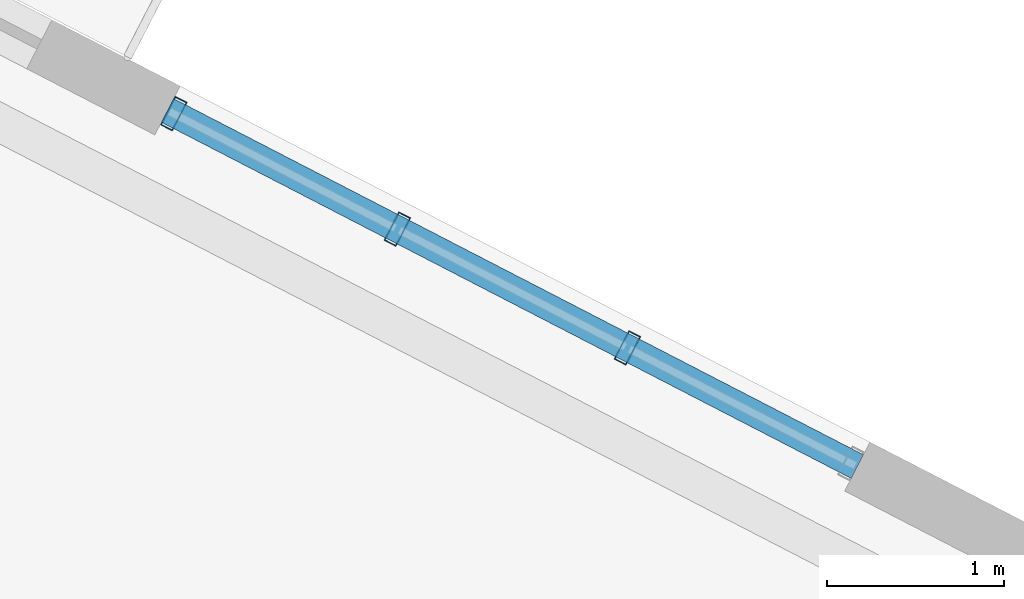
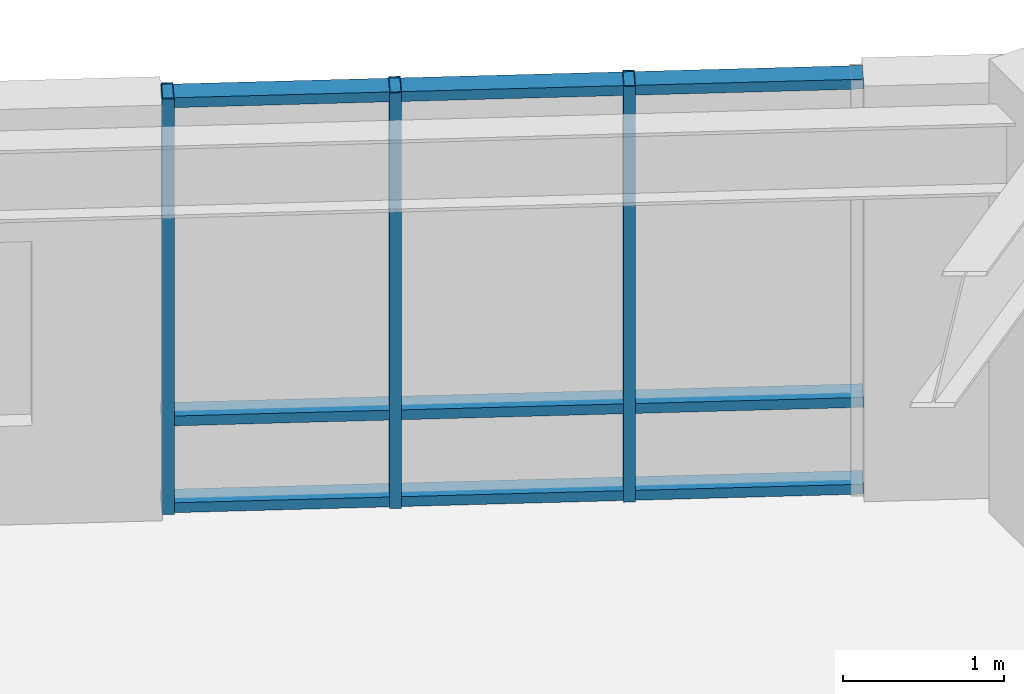
# One storey, part 2 of 11: 6 members, 1 element without a shape of its own.
"""IFC4 building model written with IfcOpenShell, lengths in metres."""

from ifc_helpers import new_model, si_unit, direction, frame, origin, origin_2d, place, context, subcontext, project, spatial, hollow_rectangle, extrude, material, layer, layer_set, material_profile, profile_set, type_object, element, aggregate, save


model = new_model("IFC4")

# Units and contexts
model_context = context("Model", 3, precision=1e-05, world=origin(), true_north=direction((0.0, 1.0)))
body_context = subcontext(model_context, "Body", "Model", "MODEL_VIEW")
ifc_project = project(units=[si_unit("LENGTHUNIT", "METRE"), si_unit("AREAUNIT", "SQUARE_METRE"), si_unit("VOLUMEUNIT", "CUBIC_METRE"), si_unit("PLANEANGLEUNIT", "RADIAN"), si_unit("MASSUNIT", "GRAM", prefix="KILO"), si_unit("THERMODYNAMICTEMPERATUREUNIT", "KELVIN"), si_unit("POWERUNIT", "WATT")], contexts=[model_context])

# Site, building, storey
site_placement = place(None, origin())
site = spatial("IfcSite", under=ifc_project, at=site_placement, CompositionType="ELEMENT")
building_placement = place(site_placement, origin())
building = spatial("IfcBuilding", under=site, at=building_placement, Name="Skarre Station Tower", CompositionType="ELEMENT")
storey_placement = place(building_placement, frame((0.0, 0.0, 170.550048828125)))
storey = spatial("IfcBuildingStorey", under=building, at=storey_placement, Name="L46", CompositionType="ELEMENT", Elevation=170.550048828125)

# Curtain wall, members
ifc_material_1 = material(Name="Thermally Broken Bronze-Anodized Aluminium & Triple Low-E Glass", Category="aluminium")
ifc_layer = layer(ifc_material_1, 0.18994140625, Name="Thermally Broken Bronze-Anodized Aluminium & Triple Low-E Glass")
ifc_layer_set = layer_set([ifc_layer], Name="Thermally Broken Bronze-Anodized Aluminium & Triple Low-E Glass")
curtain_wall_type = type_object("IfcCurtainWallType", Name="Sky-Garden Setback Conservatory Curtain Wall", PredefinedType="NOTDEFINED", material=ifc_layer_set)
curtain_wall_placement = place(storey_placement, origin())
curtain_wall = element("IfcCurtainWall", 1, at=curtain_wall_placement, inside=storey, type_object=curtain_wall_type, Name="L46 Facet 0 Conservatory Curtain Wall", PredefinedType="NOTDEFINED")
ifc_material_2 = material(Name="Anodized Aluminium 6063-T6", Category="aluminium")
ifc_material_profile_1 = material_profile(ifc_material_2, hollow_rectangle(XDim=0.074951171875, YDim=0.14990234375, WallThickness=0.00390625, at=origin_2d()), Name="Anodized Aluminium 6063-T6")
ifc_profile_set_1 = profile_set([ifc_material_profile_1], Name="Anodized Aluminium 6063-T6")
member_type_1 = type_object("IfcMemberType", Name="Curtain-Wall Secondary Transom 150x75", PredefinedType="USERDEFINED", material=ifc_profile_set_1)
member_1_placement = place(storey_placement, frame((43.717041015625, 39.321044921875, 0.0400390625), z_axis=(0.888583241467, -0.458715405218, 0.0), x_axis=(0.0, 0.0, 1.0)))
member_1 = element("IfcMember", 2, at=member_1_placement, type_object=member_type_1, Name="L46 Facet 0 Conservatory Curtain Wall Transom 1", ObjectType="TRANSOM", PredefinedType="USERDEFINED", context=body_context, shape_type="SweptSolid", body=[
    extrude(hollow_rectangle(XDim=0.074951171875, YDim=0.14990234375, WallThickness=0.00390625, at=origin_2d()), origin(), (0.0, 0.0, 1.0), 4.37548828125),
])
member_2_placement = place(storey_placement, frame((43.717041015625, 39.321044921875, 0.699951171875), z_axis=(0.888583241467, -0.458715405218, 0.0), x_axis=(0.0, 0.0, 1.0)))
member_2 = element("IfcMember", 3, at=member_2_placement, type_object=member_type_1, Name="L46 Facet 0 Conservatory Curtain Wall Transom 2", ObjectType="TRANSOM", PredefinedType="USERDEFINED", context=body_context, shape_type="SweptSolid", body=[
    extrude(hollow_rectangle(XDim=0.074951171875, YDim=0.14990234375, WallThickness=0.00390625, at=origin_2d()), origin(), (0.0, 0.0, 1.0), 4.37548828125),
])
member_3_placement = place(storey_placement, frame((43.717041015625, 39.321044921875, 3.119873046875), z_axis=(0.888583241467, -0.458715405218, 0.0), x_axis=(0.0, 0.0, 1.0)))
member_3 = element("IfcMember", 4, at=member_3_placement, type_object=member_type_1, Name="L46 Facet 0 Conservatory Curtain Wall Transom 3", ObjectType="TRANSOM", PredefinedType="USERDEFINED", context=body_context, shape_type="SweptSolid", body=[
    extrude(hollow_rectangle(XDim=0.074951171875, YDim=0.14990234375, WallThickness=0.00390625, at=origin_2d()), origin(), (0.0, 0.0, 1.0), 4.37548828125),
])
ifc_material_profile_2 = material_profile(ifc_material_2, hollow_rectangle(XDim=0.074951171875, YDim=0.179931640625, WallThickness=0.00390625, at=origin_2d()), Name="Anodized Aluminium 6063-T6")
ifc_profile_set_2 = profile_set([ifc_material_profile_2], Name="Anodized Aluminium 6063-T6")
member_type_2 = type_object("IfcMemberType", Name="Curtain-Wall Unitised Tower Mullion 180x75", PredefinedType="MULLION", material=ifc_profile_set_2)
member_4_placement = place(storey_placement, frame((43.7529296875, 39.302978515625, 0.0), z_axis=(0.0, 0.0, 1.0), x_axis=(0.888593216602, -0.458696081745, 0.0)))
member_4 = element("IfcMember", 5, at=member_4_placement, type_object=member_type_2, Name="L46 Facet 0 Conservatory Curtain Wall Mullion 1", PredefinedType="MULLION", context=body_context, shape_type="SweptSolid", body=[
    extrude(hollow_rectangle(XDim=0.074951171875, YDim=0.179931640625, WallThickness=0.00390625, at=origin_2d()), origin(), (0.0, 0.0, 1.0), 3.159912109375),
])
member_5_placement = place(storey_placement, frame((45.012939453125, 38.652099609375, 0.0), z_axis=(0.0, 0.0, 1.0), x_axis=(0.888593216602, -0.458696081745, 0.0)))
member_5 = element("IfcMember", 6, at=member_5_placement, type_object=member_type_2, Name="L46 Facet 0 Conservatory Curtain Wall Mullion 2", PredefinedType="MULLION", context=body_context, shape_type="SweptSolid", body=[
    extrude(hollow_rectangle(XDim=0.074951171875, YDim=0.179931640625, WallThickness=0.00390625, at=origin_2d()), origin(), (0.0, 0.0, 1.0), 3.159912109375),
])
member_6_placement = place(storey_placement, frame((46.30908203125, 37.98291015625, 0.0), z_axis=(0.0, 0.0, 1.0), x_axis=(0.888593216602, -0.458696081745, 0.0)))
member_6 = element("IfcMember", 7, at=member_6_placement, type_object=member_type_2, Name="L46 Facet 0 Conservatory Curtain Wall Mullion 3", PredefinedType="MULLION", context=body_context, shape_type="SweptSolid", body=[
    extrude(hollow_rectangle(XDim=0.074951171875, YDim=0.179931640625, WallThickness=0.00390625, at=origin_2d()), origin(), (0.0, 0.0, 1.0), 3.159912109375),
])
aggregate(curtain_wall, [member_4, member_5, member_6, member_1, member_2, member_3])

save(model, "model.ifc")
